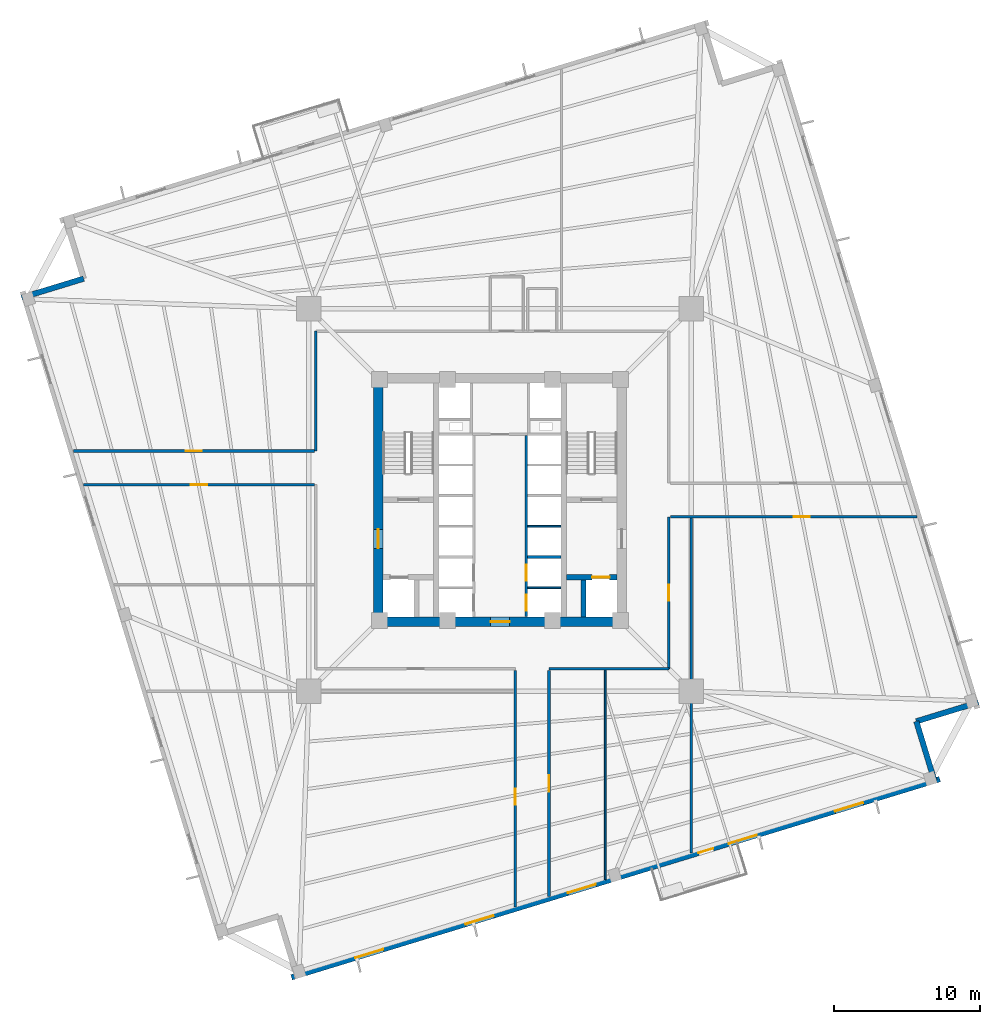
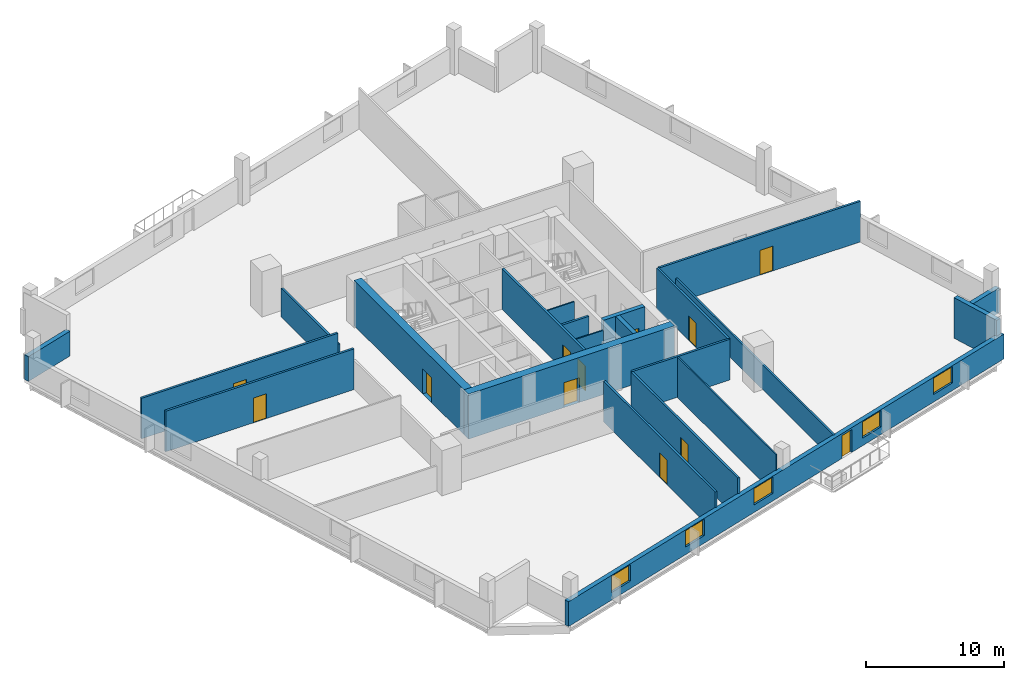
# One storey, part 3 of 8: 22 walls, 12 doors, 5 windows, 17 openings.
"""IFC4 building model written with IfcOpenShell, lengths in metres."""

import ifcopenshell
import ifcopenshell.guid

model = None  # the IFC model being written
_history = None  # IfcOwnerHistory: only IFC2X3 demands one
_inside = {}  # id of a spatial element -> (the spatial element, [elements in it])
_under = {}  # id of a project, library or spatial element -> (it, [spatial elements below it])
_declared = {}  # id of a project -> (the project, [libraries it declares])
_typed = {}  # id of a type object -> (the type object, [elements of that type])
_made_of = {}  # id of a material, layer set ... -> (it, [elements and type objects made of it])


def new_model(schema):
    """Start an empty IFC model of exactly this schema.

    Asked for "IFC4X3", IfcOpenShell would pick the latest addendum, in which some entities
    have other attributes; the version numbers below select the first issue.
    IFC2X3 requires an IfcOwnerHistory on every rooted entity: one is made here for all.
    """
    global model, _history
    if schema == "IFC4X3":
        model = ifcopenshell.file(schema_version=(4, 3, 0, 0))
    else:
        model = ifcopenshell.file(schema=schema)
    _inside.clear()
    _under.clear()
    _declared.clear()
    _typed.clear()
    _made_of.clear()
    _history = None
    if model.schema == "IFC2X3":
        org = make("IfcOrganization", Name="unknown")
        user = make(
            "IfcPersonAndOrganization",
            ThePerson=make("IfcPerson", FamilyName="unknown"),
            TheOrganization=org,
        )
        app = make(
            "IfcApplication",
            ApplicationDeveloper=org,
            Version="unknown",
            ApplicationFullName="unknown",
            ApplicationIdentifier="unknown",
        )
        _history = make(
            "IfcOwnerHistory",
            OwningUser=user,
            OwningApplication=app,
            ChangeAction="ADDED",
            CreationDate=0,
        )
    return model


def make(cls, **values):
    """One entity of the class cls with the attributes given. An attribute that is None is left unset."""
    return model.create_entity(
        cls, **{name: value for name, value in values.items() if value is not None}
    )


def rooted(cls, **values):
    """An entity with a GlobalId (a new one), such as an element, a storey or a relation."""
    return make(cls, GlobalId=ifcopenshell.guid.new(), OwnerHistory=_history, **values)


def si_unit(unit_type, name, prefix=None):
    """IfcSIUnit, for example si_unit("LENGTHUNIT", "METRE", prefix="MILLI")."""
    return make("IfcSIUnit", UnitType=unit_type, Prefix=prefix, Name=name)


def assignment(units):
    """IfcUnitAssignment: the units of a project."""
    return None if units is None else make("IfcUnitAssignment", Units=units)


def point(xyz):
    """IfcCartesianPoint."""
    return None if xyz is None else make("IfcCartesianPoint", Coordinates=xyz)


def direction(xyz):
    """IfcDirection."""
    return None if xyz is None else make("IfcDirection", DirectionRatios=xyz)


def frame(location, z_axis=None, x_axis=None):
    """IfcAxis2Placement3D, a coordinate frame: its origin and axes. An axis left out is left unset."""
    return make(
        "IfcAxis2Placement3D",
        Location=point(location),
        Axis=direction(z_axis),
        RefDirection=direction(x_axis),
    )


def frame_2d(location, x_axis=None):
    """IfcAxis2Placement2D, a coordinate frame in the plane: its origin and x axis."""
    return make(
        "IfcAxis2Placement2D", Location=point(location), RefDirection=direction(x_axis)
    )


def origin():
    """The frame at (0, 0, 0) with its axes left unset."""
    return frame((0.0, 0.0, 0.0))


def place(relative_to, where):
    """IfcLocalPlacement: puts the frame where relative to a parent placement (None: the world)."""
    return make(
        "IfcLocalPlacement", PlacementRelTo=relative_to, RelativePlacement=where
    )


def context(
    kind, dimensions, precision=None, world=None, true_north=None, identifier=None
):
    """IfcGeometricRepresentationContext, for example the 3D "Model" context."""
    return make(
        "IfcGeometricRepresentationContext",
        ContextIdentifier=identifier,
        ContextType=kind,
        CoordinateSpaceDimension=dimensions,
        Precision=precision,
        WorldCoordinateSystem=world,
        TrueNorth=true_north,
    )


def subcontext(parent, identifier, kind, view, scale=None):
    """IfcGeometricRepresentationSubContext, for example "Body" below "Model"."""
    return make(
        "IfcGeometricRepresentationSubContext",
        ContextIdentifier=identifier,
        ContextType=kind,
        ParentContext=parent,
        TargetScale=scale,
        TargetView=view,
    )


def project(units=None, contexts=None):
    """IfcProject with its units and contexts."""
    return rooted(
        "IfcProject",
        Name="project",
        RepresentationContexts=contexts,
        UnitsInContext=assignment(units),
    )


def spatial(cls, under=None, at=None, **own):
    """A site, building, storey or space (cls), placed at a placement, below another one or the project."""
    s = rooted(cls, ObjectPlacement=at, **own)
    if under is not None:
        _under.setdefault(under.id(), (under, []))[1].append(s)
    return s


def profile(cls, at=None, kind="AREA", **sizes):
    """A parametric profile (cls). Its sizes go by their IFC names, for example OverallWidth=200.0."""
    return make(cls, ProfileType=kind, Position=at, **sizes)


def rectangle(**sizes):
    """IfcRectangleProfileDef."""
    return profile("IfcRectangleProfileDef", **sizes)


def extrude(swept, where, along, depth):
    """IfcExtrudedAreaSolid: the profile swept, set in the frame where, extruded along a direction by depth."""
    return make(
        "IfcExtrudedAreaSolid",
        SweptArea=swept,
        Position=where,
        ExtrudedDirection=direction(along),
        Depth=depth,
    )


def shape(context_of_items, identifier, shape_type, items):
    """IfcShapeRepresentation: the items that make up one representation, for example the "Body"."""
    return make(
        "IfcShapeRepresentation",
        ContextOfItems=context_of_items,
        RepresentationIdentifier=identifier,
        RepresentationType=shape_type,
        Items=items,
    )


def source(mapping_origin, context_of_items, identifier, shape_type, items):
    """IfcRepresentationMap: a shape defined once, which mapped items show again and again."""
    return make(
        "IfcRepresentationMap",
        MappingOrigin=mapping_origin,
        MappedRepresentation=shape(context_of_items, identifier, shape_type, items),
    )


def transform(
    local_origin,
    x_axis=None,
    y_axis=None,
    z_axis=None,
    scale=None,
    scale2=None,
    scale3=None,
    uniform=True,
):
    """IfcCartesianTransformationOperator3D, or its non-uniform kind. x_axis, y_axis, z_axis: its Axis1, 2, 3."""
    if uniform:
        return make(
            "IfcCartesianTransformationOperator3D",
            Axis1=direction(x_axis),
            Axis2=direction(y_axis),
            LocalOrigin=point(local_origin),
            Scale=scale,
            Axis3=direction(z_axis),
        )
    return make(
        "IfcCartesianTransformationOperator3DnonUniform",
        Axis1=direction(x_axis),
        Axis2=direction(y_axis),
        LocalOrigin=point(local_origin),
        Scale=scale,
        Axis3=direction(z_axis),
        Scale2=scale2,
        Scale3=scale3,
    )


def mapped(mapping_source, mapping_target):
    """IfcMappedItem: shows the shape of a source again, moved by a transform."""
    return make(
        "IfcMappedItem", MappingSource=mapping_source, MappingTarget=mapping_target
    )


def material(Name=None, Category=None):
    """IfcMaterial."""
    return make("IfcMaterial", Name=Name, Category=Category)


def layer(
    of_material, thickness, ventilated=None, Name=None, Category=None, Priority=None
):
    """IfcMaterialLayer: one layer of a wall or slab, of a material (None: an air gap)."""
    return make(
        "IfcMaterialLayer",
        Material=of_material,
        LayerThickness=thickness,
        IsVentilated=ventilated,
        Name=Name,
        Category=Category,
        Priority=Priority,
    )


def layer_set(layers, Name=None):
    """IfcMaterialLayerSet."""
    return make("IfcMaterialLayerSet", MaterialLayers=layers, LayerSetName=Name)


def made_of(thing, what):
    """Note that an element or type object is made of a material, layer set ...; save() writes the relation."""
    if what is not None:
        _made_of.setdefault(what.id(), (what, []))[1].append(thing)
    return thing


def type_object(cls, material=None, **own):
    """A type object (cls), such as IfcWallType, which elements share."""
    return made_of(rooted(cls, **own), material)


def element(
    cls,
    number,
    at=None,
    inside=None,
    cuts=None,
    type_object=None,
    material=None,
    context=None,
    identifier="Body",
    shape_type=None,
    held_by="IfcProductDefinitionShape",
    body=None,
    shapes=None,
    **own,
):
    """One element of the class cls, such as IfcWall. Its Tag is "e" and its number.

    at: its placement. inside: the storey or other place that contains it. cuts: it is an
    opening in that element (IfcRelVoidsElement). A single representation is given by context,
    identifier, shape_type and body (its items); several are given by shapes. held_by: the class
    of the entity that holds the representations. save() writes the other relations.
    """
    e = rooted(cls, Tag="e%d" % number, ObjectPlacement=at, **own)
    if body is not None:
        shapes = [shape(context, identifier, shape_type, body)]
    if shapes is not None:
        e.Representation = make(held_by, Representations=shapes)
    if inside is not None:
        _inside.setdefault(inside.id(), (inside, []))[1].append(e)
    if cuts is not None:
        rooted(
            "IfcRelVoidsElement", RelatingBuildingElement=cuts, RelatedOpeningElement=e
        )
    if type_object is not None:
        _typed.setdefault(type_object.id(), (type_object, []))[1].append(e)
    return made_of(e, material)


def fill(opening, filler):
    """IfcRelFillsElement: the door or window that sits in an opening."""
    return rooted(
        "IfcRelFillsElement",
        RelatingOpeningElement=opening,
        RelatedBuildingElement=filler,
    )


def aggregate(whole, parts):
    """IfcRelAggregates: a whole, such as a stair, and the parts it consists of."""
    return rooted("IfcRelAggregates", RelatingObject=whole, RelatedObjects=parts)


def save(model, path):
    """Write the relations noted so far, then the file.

    IfcRelAggregates (storeys below a building ...), IfcRelContainedInSpatialStructure (elements
    in a storey), IfcRelDefinesByType, IfcRelAssociatesMaterial and IfcRelDeclares: one each for
    every whole, place, type object, material and project.
    """
    for whole, parts in _under.values():
        aggregate(whole, parts)
    for where, things in _inside.values():
        rooted(
            "IfcRelContainedInSpatialStructure",
            RelatedElements=things,
            RelatingStructure=where,
        )
    for kind, things in _typed.values():
        rooted("IfcRelDefinesByType", RelatedObjects=things, RelatingType=kind)
    for what, things in _made_of.values():
        rooted("IfcRelAssociatesMaterial", RelatedObjects=things, RelatingMaterial=what)
    for by, libraries in _declared.values():
        rooted("IfcRelDeclares", RelatingContext=by, RelatedDefinitions=libraries)
    model.write(path)


model = new_model("IFC4")

# Units and contexts
model_context = context("Model", 3, precision=1e-05, world=origin(), true_north=direction((0.0, 1.0)))
body_context = subcontext(model_context, "Body", "Model", "MODEL_VIEW")
ifc_project = project(units=[si_unit("LENGTHUNIT", "METRE"), si_unit("AREAUNIT", "SQUARE_METRE"), si_unit("VOLUMEUNIT", "CUBIC_METRE"), si_unit("PLANEANGLEUNIT", "RADIAN"), si_unit("MASSUNIT", "GRAM", prefix="KILO"), si_unit("THERMODYNAMICTEMPERATUREUNIT", "KELVIN")], contexts=[model_context])

# Site, building, storey
site_placement = place(None, origin())
site = spatial("IfcSite", under=ifc_project, at=site_placement, CompositionType="ELEMENT")
building_placement = place(site_placement, origin())
building = spatial("IfcBuilding", under=site, at=building_placement, Name="Kosmvard Interchange Tower", CompositionType="ELEMENT")
storey_placement = place(building_placement, frame((0.0, 0.0, 135.199951171875)))
storey = spatial("IfcBuildingStorey", under=building, at=storey_placement, Name="L32", CompositionType="ELEMENT", Elevation=135.199951171875)

# Wall
ifc_material_1 = material(Name="Acoustic gypsum partition system")
ifc_layer_1 = layer(ifc_material_1, 0.14990234375, Name="Acoustic gypsum partition system")
ifc_layer_set_1 = layer_set([ifc_layer_1], Name="Acoustic gypsum partition system")
wall_type_1 = type_object("IfcWallType", Name="Acoustic Suite & Meeting Partition 150", PredefinedType="PARTITIONING", material=ifc_layer_set_1)
wall_1_placement = place(storey_placement, frame((13.0810546875, -24.16650390625, 0.0), z_axis=(0.0, 0.0, 1.0), x_axis=(0.0, 1.0, 0.0)))
element("IfcWall", 1, at=wall_1_placement, inside=storey, type_object=wall_type_1, Name="L32 Room Partition 03.1", PredefinedType="PARTITIONING", context=body_context, shape_type="SweptSolid", body=[
    extrude(rectangle(XDim=22.92138671875, YDim=0.14990234375, at=frame_2d((11.460693359375, 0.0))), origin(), (0.0, 0.0, 1.0), 2.199951171875),
])

# Wall, openings, doors
ifc_material_2 = material(Name="Fire-rated gypsum partition system")
ifc_layer_2 = layer(ifc_material_2, 0.179931640625, Name="Fire-rated gypsum partition system")
ifc_layer_set_2 = layer_set([ifc_layer_2], Name="Fire-rated gypsum partition system")
wall_type_2 = type_object("IfcWallType", Name="Corridor & Hotel Compartment Partition 180", PredefinedType="PARTITIONING", material=ifc_layer_set_2)
wall_2_placement = place(storey_placement, frame((1.7900390625, -7.97998046875, 0.0), z_axis=(0.0, 0.0, 1.0), x_axis=(0.0, 1.0, 0.0)))
wall_2 = element("IfcWall", 2, at=wall_2_placement, inside=storey, type_object=wall_type_2, Name="L32 East Lift Bank Front Wall", PredefinedType="PARTITIONING", context=body_context, shape_type="SweptSolid", body=[
    extrude(rectangle(XDim=12.3798828125, YDim=0.179931640625, at=frame_2d((6.18994140625, 0.0))), origin(), (0.0, 0.0, 1.0), 3.60009765625),
])
opening_1_placement = place(wall_2_placement, frame((0.39990234375, 0.0, 0.0)))
opening_1 = element("IfcOpeningElement", 3, at=opening_1_placement, cuts=wall_2, Name="Opening LD-PL-L3-L32", PredefinedType="OPENING", context=body_context, shape_type="SweptSolid", body=[
    extrude(rectangle(XDim=1.10009765625, YDim=2.199951171875, at=frame_2d((0.550048828125, 1.10009765625))), frame((0.0, 0.10009765625, 0.0), z_axis=(0.0, -1.0, 0.0), x_axis=(1.0, 0.0, 0.0)), (0.0, 0.0, 1.0), 0.199951171875),
])
opening_2_placement = place(wall_2_placement, frame((2.4599609375, 0.0, 0.0)))
opening_2 = element("IfcOpeningElement", 4, at=opening_2_placement, cuts=wall_2, Name="Opening LD-PL-L4-L32", PredefinedType="OPENING", context=body_context, shape_type="SweptSolid", body=[
    extrude(rectangle(XDim=1.10009765625, YDim=2.199951171875, at=frame_2d((0.550048828125, 1.10009765625))), frame((0.0, 0.10009765625, 0.0), z_axis=(0.0, -1.0, 0.0), x_axis=(1.0, 0.0, 0.0)), (0.0, 0.0, 1.0), 0.199951171875),
])
ifc_material_3 = material(Name="Brushed stainless steel sliding leaf", Category="steel")
door_type_1 = type_object("IfcDoorType", Name="Passenger Lift Sliding Landing Door 1100x2200 EI60", OperationType="DOUBLE_DOOR_SLIDING", PredefinedType="DOOR", material=ifc_material_3)
shared_shape_1 = source(origin(), body_context, "Body", "SweptSolid", [
    extrude(rectangle(XDim=1.10009765625, YDim=2.199951171875, at=frame_2d((0.550048828125, 1.10009765625))), frame((0.0, 0.02490234375, 0.0), z_axis=(0.0, -1.0, 0.0), x_axis=(1.0, 0.0, 0.0)), (0.0, 0.0, 1.0), 0.050048828125),
])
door_1_placement = place(opening_1_placement, origin())
door_1 = element("IfcDoor", 5, at=door_1_placement, inside=storey, type_object=door_type_1, Name="Lift PL-L3 Landing Door L32", OperationType="DOUBLE_DOOR_SLIDING", OverallHeight=2.199951171875, OverallWidth=1.10009765625, PredefinedType="DOOR", context=body_context, shape_type="MappedRepresentation", body=[
    mapped(shared_shape_1, transform((0.0, 0.0, 0.0), scale=1.0)),
])
fill(opening_1, door_1)
door_2_placement = place(opening_2_placement, origin())
door_2 = element("IfcDoor", 6, at=door_2_placement, inside=storey, type_object=door_type_1, Name="Lift PL-L4 Landing Door L32", OperationType="DOUBLE_DOOR_SLIDING", OverallHeight=2.199951171875, OverallWidth=1.10009765625, PredefinedType="DOOR", context=body_context, shape_type="MappedRepresentation", body=[
    mapped(shared_shape_1, transform((0.0, 0.0, 0.0), scale=1.0)),
])
fill(opening_2, door_2)

# Walls
wall_3_placement = place(storey_placement, frame((3.35009765625, -11.550048828125, 0.0), z_axis=(0.0, 0.0, 1.0), x_axis=(1.0, 0.0, 0.0)))
element("IfcWall", 7, at=wall_3_placement, inside=storey, type_object=wall_type_2, Name="L32 Corridor Wall CSE", PredefinedType="PARTITIONING", context=body_context, shape_type="SweptSolid", body=[
    extrude(rectangle(XDim=8.199951171875, YDim=0.179931640625, at=frame_2d((4.10009765625, 0.0))), origin(), (0.0, 0.0, 1.0), 3.60009765625),
])
wall_4_placement = place(storey_placement, frame((-12.60009765625, 3.35009765625, 0.0), z_axis=(0.0, 0.0, 1.0), x_axis=(0.0, 1.0, 0.0)))
element("IfcWall", 8, at=wall_4_placement, inside=storey, type_object=wall_type_2, Name="L32 Corridor Wall CWN", PredefinedType="PARTITIONING", context=body_context, shape_type="SweptSolid", body=[
    extrude(rectangle(XDim=8.199951171875, YDim=0.179931640625, at=frame_2d((4.10009765625, 0.0))), origin(), (0.0, 0.0, 1.0), 2.56005859375),
])

# Wall, opening, door
wall_5_placement = place(storey_placement, frame((11.550048828125, -11.550048828125, 0.0), z_axis=(0.0, 0.0, 1.0), x_axis=(0.0, 1.0, 0.0)))
wall_5 = element("IfcWall", 9, at=wall_5_placement, inside=storey, type_object=wall_type_2, Name="L32 Corridor Wall CES", PredefinedType="PARTITIONING", context=body_context, shape_type="SweptSolid", body=[
    extrude(rectangle(XDim=10.400146484375, YDim=0.179931640625, at=frame_2d((5.2001953125, 0.0))), origin(), (0.0, 0.0, 1.0), 3.60009765625),
])
opening_3_placement = place(wall_5_placement, frame((4.64990234375, 0.0, 0.0)))
opening_3 = element("IfcOpeningElement", 10, at=opening_3_placement, cuts=wall_5, Name="Opening L32-D06", PredefinedType="OPENING", context=body_context, shape_type="SweptSolid", body=[
    extrude(rectangle(XDim=1.10009765625, YDim=2.199951171875, at=frame_2d((0.550048828125, 1.10009765625))), frame((0.0, 0.10009765625, 0.0), z_axis=(0.0, -1.0, 0.0), x_axis=(1.0, 0.0, 0.0)), (0.0, 0.0, 1.0), 0.199951171875),
])
ifc_material_4 = material(Name="Engineered oak fire-rated timber", Category="wood")
door_type_2 = type_object("IfcDoorType", Name="Office Suite Entrance Door 1100x2200 FD30S", OperationType="NOTDEFINED", PredefinedType="DOOR", material=ifc_material_4)
door_3_placement = place(opening_3_placement, frame((1.10009765625, 0.0, 0.0), z_axis=(0.0, 0.0, 1.0), x_axis=(-1.0, 0.0, 0.0)))
door_3 = element("IfcDoor", 11, at=door_3_placement, inside=storey, type_object=door_type_2, Name="L32 Staff Credit Banking Shop Door", OperationType="SINGLE_SWING_RIGHT", OverallHeight=2.199951171875, OverallWidth=1.10009765625, PredefinedType="DOOR", context=body_context, shape_type="MappedRepresentation", body=[
    mapped(shared_shape_1, transform((0.0, 0.0, 0.0), scale=1.0)),
])
fill(opening_3, door_3)

wall_6_placement = place(storey_placement, frame((-28.48681640625, 1.050048828125, 0.0), z_axis=(0.0, 0.0, 1.0), x_axis=(1.0, 0.0, 0.0)))
wall_6 = element("IfcWall", 12, at=wall_6_placement, inside=storey, type_object=wall_type_2, Name="L32 Corridor Wall SWS", PredefinedType="PARTITIONING", context=body_context, shape_type="SweptSolid", body=[
    extrude(rectangle(XDim=15.786865234375, YDim=0.179931640625, at=frame_2d((7.8935546875, 0.0))), origin(), (0.0, 0.0, 1.0), 3.60009765625),
])
opening_4_placement = place(wall_6_placement, frame((7.34326171875, 0.0, 0.0)))
opening_4 = element("IfcOpeningElement", 13, at=opening_4_placement, cuts=wall_6, Name="Opening L32-D08", PredefinedType="OPENING", context=body_context, shape_type="SweptSolid", body=[
    extrude(rectangle(XDim=1.10009765625, YDim=2.199951171875, at=frame_2d((0.550048828125, 1.10009765625))), frame((0.0, 0.10009765625, 0.0), z_axis=(0.0, -1.0, 0.0), x_axis=(1.0, 0.0, 0.0)), (0.0, 0.0, 1.0), 0.199951171875),
])
door_4_placement = place(opening_4_placement, frame((1.10009765625, 0.0, 0.0), z_axis=(0.0, 0.0, 1.0), x_axis=(-1.0, 0.0, 0.0)))
door_4 = element("IfcDoor", 14, at=door_4_placement, inside=storey, type_object=door_type_2, Name="L32 Event Catering Kitchen Door", OperationType="SINGLE_SWING_RIGHT", OverallHeight=2.199951171875, OverallWidth=1.10009765625, PredefinedType="DOOR", context=body_context, shape_type="MappedRepresentation", body=[
    mapped(shared_shape_1, transform((0.0, 0.0, 0.0), scale=1.0)),
])
fill(opening_4, door_4)

wall_7_placement = place(storey_placement, frame((-29.18994140625, 3.35009765625, 0.0), z_axis=(0.0, 0.0, 1.0), x_axis=(1.0, 0.0, 0.0)))
wall_7 = element("IfcWall", 15, at=wall_7_placement, inside=storey, type_object=wall_type_2, Name="L32 Corridor Wall SWN", PredefinedType="PARTITIONING", context=body_context, shape_type="SweptSolid", body=[
    extrude(rectangle(XDim=16.489990234375, YDim=0.179931640625, at=frame_2d((8.2451171875, 0.0))), origin(), (0.0, 0.0, 1.0), 3.60009765625),
])
opening_5_placement = place(wall_7_placement, frame((7.695068359375, 0.0, 0.0)))
opening_5 = element("IfcOpeningElement", 16, at=opening_5_placement, cuts=wall_7, Name="Opening L32-D03", PredefinedType="OPENING", context=body_context, shape_type="SweptSolid", body=[
    extrude(rectangle(XDim=1.10009765625, YDim=2.199951171875, at=frame_2d((0.550048828125, 1.10009765625))), frame((0.0, 0.10009765625, 0.0), z_axis=(0.0, -1.0, 0.0), x_axis=(1.0, 0.0, 0.0)), (0.0, 0.0, 1.0), 0.199951171875),
])
door_5_placement = place(opening_5_placement, origin())
door_5 = element("IfcDoor", 17, at=door_5_placement, inside=storey, type_object=door_type_2, Name="L32 Employee Wellness Yoga Studio Door", OperationType="SINGLE_SWING_LEFT", OverallHeight=2.199951171875, OverallWidth=1.10009765625, PredefinedType="DOOR", context=body_context, shape_type="MappedRepresentation", body=[
    mapped(shared_shape_1, transform((0.0, 0.0, 0.0), scale=1.0)),
])
fill(opening_5, door_5)

wall_8_placement = place(storey_placement, frame((11.64990234375, -1.14990234375, 0.0), z_axis=(0.0, 0.0, 1.0), x_axis=(1.0, 0.0, 0.0)))
wall_8 = element("IfcWall", 18, at=wall_8_placement, inside=storey, type_object=wall_type_2, Name="L32 Corridor Wall SES", PredefinedType="PARTITIONING", context=body_context, shape_type="SweptSolid", body=[
    extrude(rectangle(XDim=16.867431640625, YDim=0.179931640625, at=frame_2d((8.43359375, 0.0))), origin(), (0.0, 0.0, 1.0), 3.60009765625),
])
opening_6_placement = place(wall_8_placement, frame((8.4345703125, 0.0, 0.0)))
opening_6 = element("IfcOpeningElement", 19, at=opening_6_placement, cuts=wall_8, Name="Opening L32-D07", PredefinedType="OPENING", context=body_context, shape_type="SweptSolid", body=[
    extrude(rectangle(XDim=1.10009765625, YDim=2.199951171875, at=frame_2d((0.550048828125, 1.10009765625))), frame((0.0, 0.10009765625, 0.0), z_axis=(0.0, -1.0, 0.0), x_axis=(1.0, 0.0, 0.0)), (0.0, 0.0, 1.0), 0.199951171875),
])
door_6_placement = place(opening_6_placement, frame((1.10009765625, 0.0, 0.0), z_axis=(0.0, 0.0, 1.0), x_axis=(-1.0, 0.0, 0.0)))
door_6 = element("IfcDoor", 20, at=door_6_placement, inside=storey, type_object=door_type_2, Name="L32 East Open Workspace Door", OperationType="SINGLE_SWING_LEFT", OverallHeight=2.199951171875, OverallWidth=1.10009765625, PredefinedType="DOOR", context=body_context, shape_type="MappedRepresentation", body=[
    mapped(shared_shape_1, transform((0.0, 0.0, 0.0), scale=1.0)),
])
fill(opening_6, door_6)

wall_9_placement = place(storey_placement, frame((1.050048828125, -27.8447265625, 0.0), z_axis=(0.0, 0.0, 1.0), x_axis=(0.0, 1.0, 0.0)))
wall_9 = element("IfcWall", 21, at=wall_9_placement, inside=storey, type_object=wall_type_2, Name="L32 Corridor Wall SSW", PredefinedType="PARTITIONING", context=body_context, shape_type="SweptSolid", body=[
    extrude(rectangle(XDim=16.19482421875, YDim=0.179931640625, at=frame_2d((8.097412109375, 0.0))), origin(), (0.0, 0.0, 1.0), 3.60009765625),
])
opening_7_placement = place(wall_9_placement, frame((6.996337890625, 0.0, 0.0)))
opening_7 = element("IfcOpeningElement", 22, at=opening_7_placement, cuts=wall_9, Name="Opening L32-D10", PredefinedType="OPENING", context=body_context, shape_type="SweptSolid", body=[
    extrude(rectangle(XDim=1.10009765625, YDim=2.199951171875, at=frame_2d((0.550048828125, 1.10009765625))), frame((0.0, 0.10009765625, 0.0), z_axis=(0.0, -1.0, 0.0), x_axis=(1.0, 0.0, 0.0)), (0.0, 0.0, 1.0), 0.199951171875),
])
door_7_placement = place(opening_7_placement, origin())
door_7 = element("IfcDoor", 23, at=door_7_placement, inside=storey, type_object=door_type_2, Name="L32 South-West Quiet Study Door", OperationType="SINGLE_SWING_RIGHT", OverallHeight=2.199951171875, OverallWidth=1.10009765625, PredefinedType="DOOR", context=body_context, shape_type="MappedRepresentation", body=[
    mapped(shared_shape_1, transform((0.0, 0.0, 0.0), scale=1.0)),
])
fill(opening_7, door_7)

wall_10_placement = place(storey_placement, frame((3.35009765625, -27.1416015625, 0.0), z_axis=(0.0, 0.0, 1.0), x_axis=(0.0, 1.0, 0.0)))
wall_10 = element("IfcWall", 24, at=wall_10_placement, inside=storey, type_object=wall_type_2, Name="L32 Corridor Wall SSE", PredefinedType="PARTITIONING", context=body_context, shape_type="SweptSolid", body=[
    extrude(rectangle(XDim=15.49169921875, YDim=0.179931640625, at=frame_2d((7.745849609375, 0.0))), origin(), (0.0, 0.0, 1.0), 3.60009765625),
])
opening_8_placement = place(wall_10_placement, frame((7.19580078125, 0.0, 0.0)))
opening_8 = element("IfcOpeningElement", 25, at=opening_8_placement, cuts=wall_10, Name="Opening L32-D05", PredefinedType="OPENING", context=body_context, shape_type="SweptSolid", body=[
    extrude(rectangle(XDim=1.10009765625, YDim=2.199951171875, at=frame_2d((0.550048828125, 1.10009765625))), frame((0.0, 0.10009765625, 0.0), z_axis=(0.0, -1.0, 0.0), x_axis=(1.0, 0.0, 0.0)), (0.0, 0.0, 1.0), 0.199951171875),
])
door_8_placement = place(opening_8_placement, frame((1.10009765625, 0.0, 0.0), z_axis=(0.0, 0.0, 1.0), x_axis=(-1.0, 0.0, 0.0)))
door_8 = element("IfcDoor", 26, at=door_8_placement, inside=storey, type_object=door_type_2, Name="L32 Business Travel Kiosk Door", OperationType="SINGLE_SWING_LEFT", OverallHeight=2.199951171875, OverallWidth=1.10009765625, PredefinedType="DOOR", context=body_context, shape_type="MappedRepresentation", body=[
    mapped(shared_shape_1, transform((0.0, 0.0, 0.0), scale=1.0)),
])
fill(opening_8, door_8)

# Wall, openings, windows, door
ifc_material_5 = material(Name="Precast concrete C45/55", Category="concrete")
ifc_layer_3 = layer(ifc_material_5, 0.3798828125, Name="Precast concrete C45/55")
ifc_layer_set_3 = layer_set([ifc_layer_3], Name="Precast concrete C45/55")
wall_type_3 = type_object("IfcWallType", Name="Lower Tower Precast Pier Wall 380 C45/55", PredefinedType="STANDARD", material=ifc_layer_set_3)
wall_11_placement = place(storey_placement, frame((-14.26513671875, -32.65771484375, 0.0), z_axis=(0.0, 0.0, 1.0), x_axis=(0.956304320851, 0.292373127906, 0.0)))
wall_11 = element("IfcWall", 27, at=wall_11_placement, inside=storey, type_object=wall_type_3, Name="L32 Precast Facade Wall F-S", PredefinedType="STANDARD", context=body_context, shape_type="SweptSolid", body=[
    extrude(rectangle(XDim=46.380126953125, YDim=0.3798828125, at=frame_2d((23.18994140625, 0.0))), origin(), (0.0, 0.0, 1.0), 2.199951171875),
])
opening_9_placement = place(wall_11_placement, frame((29.114990234375, 0.0, 0.0)))
opening_9 = element("IfcOpeningElement", 28, at=opening_9_placement, cuts=wall_11, Name="Opening L32-BDW", PredefinedType="OPENING", context=body_context, shape_type="SweptSolid", body=[
    extrude(rectangle(XDim=1.050048828125, YDim=2.02001953125, at=frame_2d((0.52490234375, 1.010009765625))), frame((0.0, 0.199951171875, 0.0), z_axis=(0.0, -1.0, 0.0), x_axis=(1.0, 0.0, 0.0)), (0.0, 0.0, 1.0), 0.39990234375),
])
opening_10_placement = place(wall_11_placement, frame((4.565673828125, 0.0, 0.669921875)))
opening_10 = element("IfcOpeningElement", 29, at=opening_10_placement, cuts=wall_11, Name="Opening L32-W01", PredefinedType="OPENING", context=body_context, shape_type="SweptSolid", body=[
    extrude(rectangle(XDim=2.0, YDim=1.449951171875, at=frame_2d((1.0, 0.72509765625))), frame((0.0, 0.199951171875, 0.0), z_axis=(0.0, -1.0, 0.0), x_axis=(1.0, 0.0, 0.0)), (0.0, 0.0, 1.0), 0.39990234375),
])
opening_11_placement = place(wall_11_placement, frame((12.4501953125, 0.0, 0.669921875)))
opening_11 = element("IfcOpeningElement", 30, at=opening_11_placement, cuts=wall_11, Name="Opening L32-W02", PredefinedType="OPENING", context=body_context, shape_type="SweptSolid", body=[
    extrude(rectangle(XDim=2.0, YDim=1.449951171875, at=frame_2d((1.0, 0.72509765625))), frame((0.0, 0.199951171875, 0.0), z_axis=(0.0, -1.0, 0.0), x_axis=(1.0, 0.0, 0.0)), (0.0, 0.0, 1.0), 0.39990234375),
])
opening_12_placement = place(wall_11_placement, frame((19.762451171875, 0.0, 0.669921875)))
opening_12 = element("IfcOpeningElement", 31, at=opening_12_placement, cuts=wall_11, Name="Opening L32-W03", PredefinedType="OPENING", context=body_context, shape_type="SweptSolid", body=[
    extrude(rectangle(XDim=2.0, YDim=1.449951171875, at=frame_2d((1.0, 0.72509765625))), frame((0.0, 0.199951171875, 0.0), z_axis=(0.0, -1.0, 0.0), x_axis=(1.0, 0.0, 0.0)), (0.0, 0.0, 1.0), 0.39990234375),
])
opening_13_placement = place(wall_11_placement, frame((31.288330078125, 0.0, 0.669921875)))
opening_13 = element("IfcOpeningElement", 32, at=opening_13_placement, cuts=wall_11, Name="Opening L32-W04", PredefinedType="OPENING", context=body_context, shape_type="SweptSolid", body=[
    extrude(rectangle(XDim=2.0, YDim=1.449951171875, at=frame_2d((1.0, 0.72509765625))), frame((0.0, 0.199951171875, 0.0), z_axis=(0.0, -1.0, 0.0), x_axis=(1.0, 0.0, 0.0)), (0.0, 0.0, 1.0), 0.39990234375),
])
opening_14_placement = place(wall_11_placement, frame((38.88671875, 0.0, 0.669921875)))
opening_14 = element("IfcOpeningElement", 33, at=opening_14_placement, cuts=wall_11, Name="Opening L32-W05", PredefinedType="OPENING", context=body_context, shape_type="SweptSolid", body=[
    extrude(rectangle(XDim=2.0, YDim=1.449951171875, at=frame_2d((1.0, 0.72509765625))), frame((0.0, 0.199951171875, 0.0), z_axis=(0.0, -1.0, 0.0), x_axis=(1.0, 0.0, 0.0)), (0.0, 0.0, 1.0), 0.39990234375),
])
ifc_material_6 = material(Name="Low-E solar-control double glazing", Category="glass")
window_type = type_object("IfcWindowType", Name="Transfer Zone Punched Window 2000x1450", PartitioningType="SINGLE_PANEL", PredefinedType="WINDOW", material=ifc_material_6)
shared_shape_2 = source(origin(), body_context, "Body", "SweptSolid", [
    extrude(rectangle(XDim=2.0, YDim=1.449951171875, at=frame_2d((1.0, 0.72509765625))), frame((0.0, 0.030029296875, 0.0), z_axis=(0.0, -1.0, 0.0), x_axis=(1.0, 0.0, 0.0)), (0.0, 0.0, 1.0), 0.06005859375),
])
window_1_placement = place(opening_10_placement, origin())
window_1 = element("IfcWindow", 34, at=window_1_placement, inside=storey, type_object=window_type, Name="L32 Facade Punched Window 01", OverallHeight=1.449951171875, OverallWidth=2.0, PartitioningType="SINGLE_PANEL", PredefinedType="WINDOW", context=body_context, shape_type="MappedRepresentation", body=[
    mapped(shared_shape_2, transform((0.0, 0.0, 0.0), scale=1.0)),
])
fill(opening_10, window_1)
window_2_placement = place(opening_11_placement, origin())
window_2 = element("IfcWindow", 35, at=window_2_placement, inside=storey, type_object=window_type, Name="L32 Facade Punched Window 02", OverallHeight=1.449951171875, OverallWidth=2.0, PartitioningType="SINGLE_PANEL", PredefinedType="WINDOW", context=body_context, shape_type="MappedRepresentation", body=[
    mapped(shared_shape_2, transform((0.0, 0.0, 0.0), scale=1.0)),
])
fill(opening_11, window_2)
window_3_placement = place(opening_12_placement, origin())
window_3 = element("IfcWindow", 36, at=window_3_placement, inside=storey, type_object=window_type, Name="L32 Facade Punched Window 03", OverallHeight=1.449951171875, OverallWidth=2.0, PartitioningType="SINGLE_PANEL", PredefinedType="WINDOW", context=body_context, shape_type="MappedRepresentation", body=[
    mapped(shared_shape_2, transform((0.0, 0.0, 0.0), scale=1.0)),
])
fill(opening_12, window_3)
window_4_placement = place(opening_13_placement, origin())
window_4 = element("IfcWindow", 37, at=window_4_placement, inside=storey, type_object=window_type, Name="L32 Facade Punched Window 04", OverallHeight=1.449951171875, OverallWidth=2.0, PartitioningType="SINGLE_PANEL", PredefinedType="WINDOW", context=body_context, shape_type="MappedRepresentation", body=[
    mapped(shared_shape_2, transform((0.0, 0.0, 0.0), scale=1.0)),
])
fill(opening_13, window_4)
window_5_placement = place(opening_14_placement, origin())
window_5 = element("IfcWindow", 38, at=window_5_placement, inside=storey, type_object=window_type, Name="L32 Facade Punched Window 05", OverallHeight=1.449951171875, OverallWidth=2.0, PartitioningType="SINGLE_PANEL", PredefinedType="WINDOW", context=body_context, shape_type="MappedRepresentation", body=[
    mapped(shared_shape_2, transform((0.0, 0.0, 0.0), scale=1.0)),
])
fill(opening_14, window_5)
ifc_material_7 = material(Name="Anodised aluminium and safety glass", Category="aluminium")
door_type_3 = type_object("IfcDoorType", Name="Tree-Balcony Glazed Door 1050x2250", OperationType="NOTDEFINED", PredefinedType="DOOR", material=ifc_material_7)
shared_shape_3 = source(origin(), body_context, "Body", "SweptSolid", [
    extrude(rectangle(XDim=1.050048828125, YDim=2.02001953125, at=frame_2d((0.52490234375, 1.010009765625))), frame((0.0, 0.02490234375, 0.0), z_axis=(0.0, -1.0, 0.0), x_axis=(1.0, 0.0, 0.0)), (0.0, 0.0, 1.0), 0.050048828125),
])
door_9_placement = place(opening_9_placement, origin())
door_9 = element("IfcDoor", 39, at=door_9_placement, inside=storey, type_object=door_type_3, Name="L32 Tree-Balcony Door BAL-L32-SW", OperationType="SINGLE_SWING_LEFT", OverallHeight=2.02001953125, OverallWidth=1.050048828125, PredefinedType="DOOR", context=body_context, shape_type="MappedRepresentation", body=[
    mapped(shared_shape_3, transform((0.0, 0.0, 0.0), scale=1.0)),
])
fill(opening_9, door_9)

# Walls
wall_12_placement = place(storey_placement, frame((29.724853515625, -19.20849609375, 0.0), z_axis=(0.0, 0.0, 1.0), x_axis=(-0.292345507338, 0.956312764915, 0.0)))
element("IfcWall", 40, at=wall_12_placement, inside=storey, type_object=wall_type_3, Name="L32 Precast Facade Wall N-SE1", PredefinedType="STANDARD", context=body_context, shape_type="SweptSolid", body=[
    extrude(rectangle(XDim=4.249755859375, YDim=0.3798828125, at=frame_2d((2.125, 0.0))), origin(), (0.0, 0.0, 1.0), 3.60009765625),
])
for number, where, z_axis, x_axis, name in (
    (41, (28.482421875, -15.144287109375, 0.0), (0.0, 0.0, 1.0), (0.956304176051, 0.292373601522, 0.0), "L32 Precast Facade Wall N-SE2"),
    (42, (-28.482421875, 15.144287109375, 0.0), (0.0, 0.0, 1.0), (-0.956304176051, -0.292373601522, 0.0), "L32 Precast Facade Wall N-NW2"),
):
    element("IfcWall", number, at=place(storey_placement, frame(where, z_axis=z_axis, x_axis=x_axis)), inside=storey, type_object=wall_type_3, Name=name, PredefinedType="STANDARD", context=body_context, shape_type="SweptSolid", body=[
        extrude(rectangle(XDim=4.43994140625, YDim=0.3798828125, at=frame_2d((2.219970703125, 0.0))), origin(), (0.0, 0.0, 1.0), 2.199951171875),
    ])

# Wall, opening, door
ifc_material_8 = material(Name="Concrete C70/85", Category="concrete")
ifc_layer_4 = layer(ifc_material_8, 0.64990234375, Name="Concrete C70/85")
ifc_layer_set_4 = layer_set([ifc_layer_4], Name="Concrete C70/85")
wall_type_4 = type_object("IfcWallType", Name="Mid Core Shear Wall 650 C70/85", PredefinedType="SHEAR", material=ifc_layer_set_4)
wall_13_placement = place(storey_placement, frame((-8.64990234375, -8.324951171875, 0.0), z_axis=(0.0, 0.0, 1.0), x_axis=(1.0, 0.0, 0.0)))
wall_13 = element("IfcWall", 43, at=wall_13_placement, inside=storey, type_object=wall_type_4, Name="L32 Core Shear Wall CW-S", PredefinedType="SHEAR", context=body_context, shape_type="SweptSolid", body=[
    extrude(rectangle(XDim=17.2998046875, YDim=0.64990234375, at=frame_2d((8.64990234375, 0.0))), origin(), (0.0, 0.0, 1.0), 4.0),
])
opening_15_placement = place(wall_13_placement, frame((8.0, 0.0, 0.0)))
opening_15 = element("IfcOpeningElement", 44, at=opening_15_placement, cuts=wall_13, Name="Opening L32-LD0", PredefinedType="OPENING", context=body_context, shape_type="SweptSolid", body=[
    extrude(rectangle(XDim=1.300048828125, YDim=2.199951171875, at=frame_2d((0.64990234375, 1.10009765625))), frame((0.0, 0.3349609375, 0.0), z_axis=(0.0, -1.0, 0.0), x_axis=(1.0, 0.0, 0.0)), (0.0, 0.0, 1.0), 0.669921875),
])
ifc_material_9 = material(Name="Painted fire-rated steel leaf", Category="steel")
door_type_4 = type_object("IfcDoorType", Name="Firefighting Lobby Door 1300x2200 EI60", OperationType="NOTDEFINED", PredefinedType="DOOR", material=ifc_material_9)
shared_shape_4 = source(origin(), body_context, "Body", "SweptSolid", [
    extrude(rectangle(XDim=1.300048828125, YDim=2.199951171875, at=frame_2d((0.64990234375, 1.10009765625))), frame((0.0, 0.02490234375, 0.0), z_axis=(0.0, -1.0, 0.0), x_axis=(1.0, 0.0, 0.0)), (0.0, 0.0, 1.0), 0.050048828125),
])
door_10_placement = place(opening_15_placement, frame((1.300048828125, 0.0, 0.0), z_axis=(0.0, 0.0, 1.0), x_axis=(-1.0, 0.0, 0.0)))
door_10 = element("IfcDoor", 45, at=door_10_placement, inside=storey, type_object=door_type_4, Name="L32 Passenger Lift Lobby South Door", OperationType="SINGLE_SWING_RIGHT", OverallHeight=2.199951171875, OverallWidth=1.300048828125, PredefinedType="DOOR", context=body_context, shape_type="MappedRepresentation", body=[
    mapped(shared_shape_4, transform((0.0, 0.0, 0.0), scale=1.0)),
])
fill(opening_15, door_10)

wall_14_placement = place(storey_placement, frame((-8.324951171875, -8.0, 0.0), z_axis=(0.0, 0.0, 1.0), x_axis=(0.0, 1.0, 0.0)))
wall_14 = element("IfcWall", 46, at=wall_14_placement, inside=storey, type_object=wall_type_4, Name="L32 Core Shear Wall CW-W", PredefinedType="SHEAR", context=body_context, shape_type="SweptSolid", body=[
    extrude(rectangle(XDim=16.0, YDim=0.64990234375, at=frame_2d((8.0, 0.0))), origin(), (0.0, 0.0, 1.0), 4.0),
])
opening_16_placement = place(wall_14_placement, frame((4.68994140625, 0.0, 0.0)))
opening_16 = element("IfcOpeningElement", 47, at=opening_16_placement, cuts=wall_14, Name="Opening L32-FD1", PredefinedType="OPENING", context=body_context, shape_type="SweptSolid", body=[
    extrude(rectangle(XDim=1.300048828125, YDim=2.199951171875, at=frame_2d((0.64990234375, 1.10009765625))), frame((0.0, 0.3349609375, 0.0), z_axis=(0.0, -1.0, 0.0), x_axis=(1.0, 0.0, 0.0)), (0.0, 0.0, 1.0), 0.669921875),
])
door_11_placement = place(opening_16_placement, frame((1.300048828125, 0.0, 0.0), z_axis=(0.0, 0.0, 1.0), x_axis=(-1.0, 0.0, 0.0)))
door_11 = element("IfcDoor", 48, at=door_11_placement, inside=storey, type_object=door_type_4, Name="L32 Firefighting Lobby West Door", OperationType="SINGLE_SWING_LEFT", OverallHeight=2.199951171875, OverallWidth=1.300048828125, PredefinedType="DOOR", context=body_context, shape_type="MappedRepresentation", body=[
    mapped(shared_shape_4, transform((0.0, 0.0, 0.0), scale=1.0)),
])
fill(opening_16, door_11)

# Walls
ifc_material_10 = material(Name="Gypsum board partition system")
ifc_layer_5 = layer(ifc_material_10, 0.1201171875, Name="Gypsum board partition system")
ifc_layer_set_5 = layer_set([ifc_layer_5], Name="Gypsum board partition system")
wall_type_5 = type_object("IfcWallType", Name="Office Cellular Partition 120", PredefinedType="PARTITIONING", material=ifc_layer_set_5)
wall_15_placement = place(storey_placement, frame((7.199951171875, -25.96435546875, 0.0), z_axis=(0.0, 0.0, 1.0), x_axis=(0.0, 1.0, 0.0)))
element("IfcWall", 49, at=wall_15_placement, inside=storey, type_object=wall_type_5, Name="L32 Room Partition 02.1", PredefinedType="PARTITIONING", context=body_context, shape_type="SweptSolid", body=[
    extrude(rectangle(XDim=14.3193359375, YDim=0.1201171875, at=frame_2d((7.15966796875, 0.0))), origin(), (0.0, 0.0, 1.0), 3.60009765625),
])
ifc_material_11 = material(Name="Concrete blockwork masonry", Category="masonry")
ifc_layer_6 = layer(ifc_material_11, 0.179931640625, Name="Concrete blockwork masonry")
ifc_layer_set_6 = layer_set([ifc_layer_6], Name="Concrete blockwork masonry")
wall_type_6 = type_object("IfcWallType", Name="Riser & Lift Bank Divider Wall 180", PredefinedType="PARTITIONING", material=ifc_layer_set_6)
wall_16_placement = place(storey_placement, frame((1.889892578125, -3.89990234375, 0.0), z_axis=(0.0, 0.0, 1.0), x_axis=(1.0, 0.0, 0.0)))
element("IfcWall", 50, at=wall_16_placement, inside=storey, type_object=wall_type_6, Name="L32 East Bank Divider BD1", PredefinedType="PARTITIONING", context=body_context, shape_type="SweptSolid", body=[
    extrude(rectangle(XDim=2.280029296875, YDim=0.179931640625, at=frame_2d((1.14013671875, 0.0))), origin(), (0.0, 0.0, 1.0), 3.60009765625),
])
ifc_material_12 = material(Name="Fire-rated gypsum shaftwall system")
ifc_layer_7 = layer(ifc_material_12, 0.1201171875, Name="Fire-rated gypsum shaftwall system")
ifc_layer_set_7 = layer_set([ifc_layer_7], Name="Fire-rated gypsum shaftwall system")
wall_type_7 = type_object("IfcWallType", Name="Shaft & Riser Fire Partition 120 EI60", PredefinedType="PARTITIONING", material=ifc_layer_set_7)
for number, where, z_axis, x_axis, name in (
    (51, (1.89990234375, -6.0, 0.0), (0.0, 0.0, 1.0), (1.0, 0.0, 0.0), "L32 Shaft Divider PL-L3"),
    (52, (1.89990234375, -1.800048828125, 0.0), (0.0, 0.0, 1.0), (1.0, 0.0, 0.0), "L32 Shaft Divider PL-M3"),
):
    element("IfcWall", number, at=place(storey_placement, frame(where, z_axis=z_axis, x_axis=x_axis)), inside=storey, type_object=wall_type_7, Name=name, PredefinedType="PARTITIONING", context=body_context, shape_type="SweptSolid", body=[
        extrude(rectangle(XDim=2.260009765625, YDim=0.1201171875, at=frame_2d((1.1298828125, 0.0))), origin(), (0.0, 0.0, 1.0), 3.60009765625),
    ])

# Wall, opening, door
ifc_material_13 = material(Name="Concrete C60/75", Category="concrete")
ifc_layer_8 = layer(ifc_material_13, 0.360107421875, Name="Concrete C60/75")
ifc_layer_set_8 = layer_set([ifc_layer_8], Name="Concrete C60/75")
wall_type_8 = type_object("IfcWallType", Name="Stair & Lift Shaft Shear Wall 360 C60/75", PredefinedType="SHEAR", material=ifc_layer_set_8)
wall_17_placement = place(storey_placement, frame((4.5400390625, -5.280029296875, 0.0), z_axis=(0.0, 0.0, 1.0), x_axis=(1.0, 0.0, 0.0)))
wall_17 = element("IfcWall", 53, at=wall_17_placement, inside=storey, type_object=wall_type_8, Name="L32 Shaft Shear Wall SW-FF2", PredefinedType="SHEAR", context=body_context, shape_type="SweptSolid", body=[
    extrude(rectangle(XDim=3.4599609375, YDim=0.360107421875, at=frame_2d((1.72998046875, 0.0))), origin(), (0.0, 0.0, 1.0), 4.0),
])
opening_17_placement = place(wall_17_placement, frame((1.760009765625, 0.0, 0.0)))
opening_17 = element("IfcOpeningElement", 54, at=opening_17_placement, cuts=wall_17, Name="Opening LD-FF-2-L32", PredefinedType="OPENING", context=body_context, shape_type="SweptSolid", body=[
    extrude(rectangle(XDim=1.199951171875, YDim=2.25, at=frame_2d((0.60009765625, 1.125))), frame((0.0, 0.18994140625, 0.0), z_axis=(0.0, -1.0, 0.0), x_axis=(1.0, 0.0, 0.0)), (0.0, 0.0, 1.0), 0.380126953125),
])
door_type_5 = type_object("IfcDoorType", Name="Firefighting Lift Sliding Landing Door 1200x2250 EI120", OperationType="DOUBLE_DOOR_SLIDING", PredefinedType="DOOR", material=ifc_material_3)
shared_shape_5 = source(origin(), body_context, "Body", "SweptSolid", [
    extrude(rectangle(XDim=1.199951171875, YDim=2.25, at=frame_2d((0.60009765625, 1.125))), frame((0.0, 0.02490234375, 0.0), z_axis=(0.0, -1.0, 0.0), x_axis=(1.0, 0.0, 0.0)), (0.0, 0.0, 1.0), 0.050048828125),
])
door_12_placement = place(opening_17_placement, origin())
door_12 = element("IfcDoor", 55, at=door_12_placement, inside=storey, type_object=door_type_5, Name="Lift FF-2 Landing Door L32", OperationType="DOUBLE_DOOR_SLIDING", OverallHeight=2.25, OverallWidth=1.199951171875, PredefinedType="DOOR", context=body_context, shape_type="MappedRepresentation", body=[
    mapped(shared_shape_5, transform((0.0, 0.0, 0.0), scale=1.0)),
])
fill(opening_17, door_12)

# Wall
wall_18_placement = place(storey_placement, frame((5.7099609375, -8.0, 0.0), z_axis=(0.0, 0.0, 1.0), x_axis=(0.0, 1.0, 0.0)))
element("IfcWall", 56, at=wall_18_placement, inside=storey, type_object=wall_type_8, Name="L32 Shaft Shear Wall SW-SM2", PredefinedType="SHEAR", context=body_context, shape_type="SweptSolid", body=[
    extrude(rectangle(XDim=2.5400390625, YDim=0.360107421875, at=frame_2d((1.27001953125, 0.0))), origin(), (0.0, 0.0, 1.0), 4.0),
])

save(model, "model.ifc")
